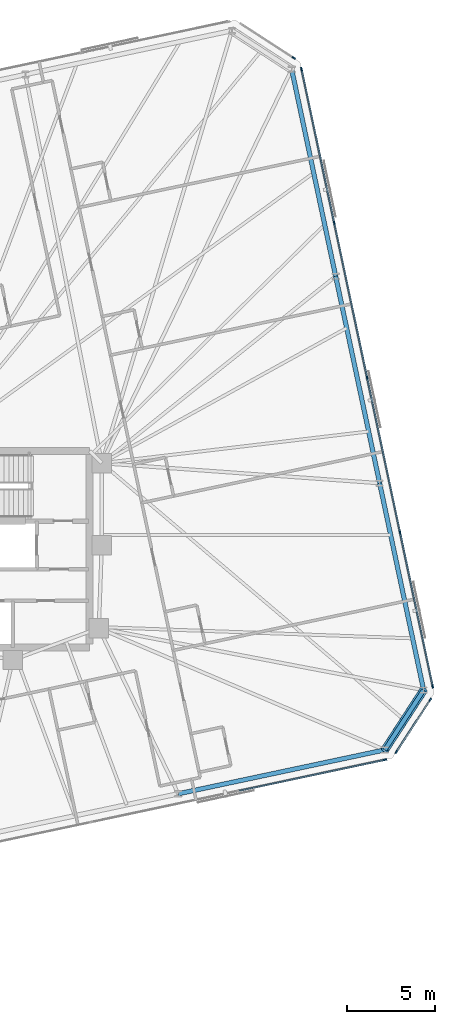
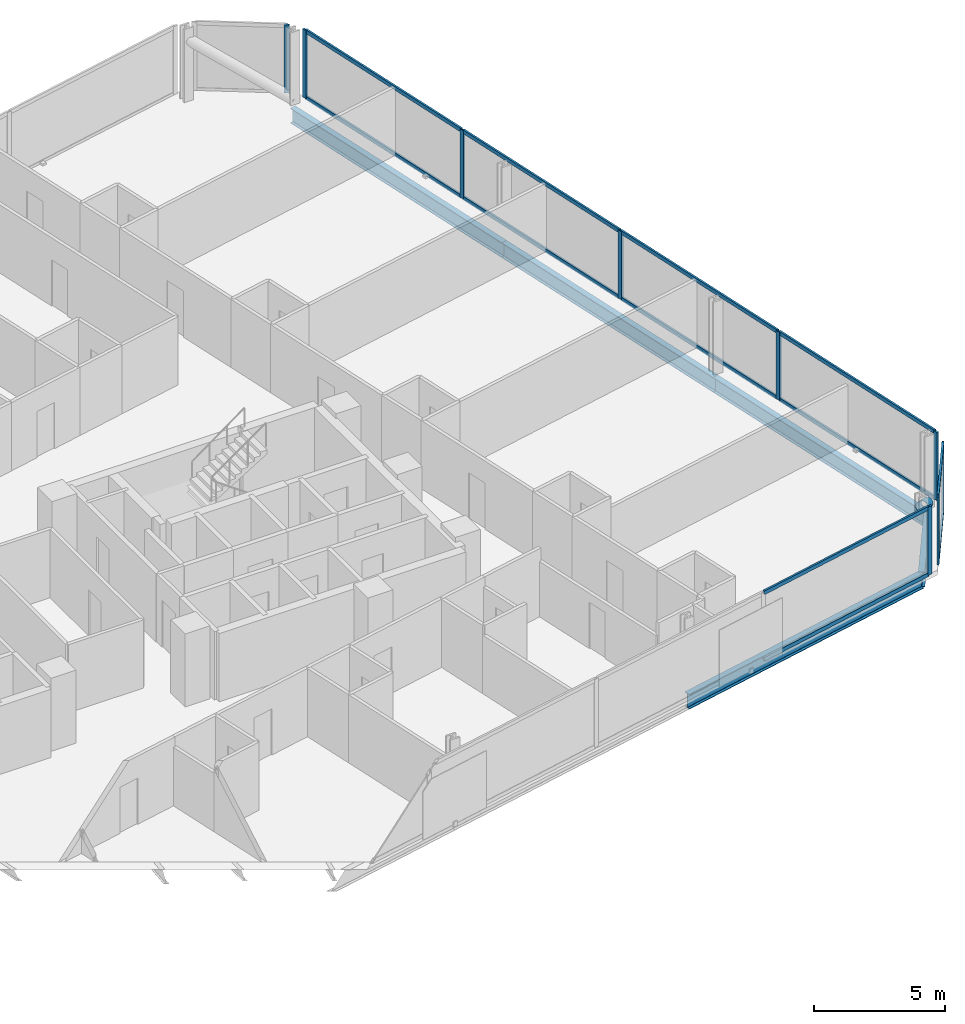
# One storey, part 12 of 20: 22 members, 5 beams, 4 elements without a shape of their own.
"""IFC4 building model written with IfcOpenShell, lengths in metres."""

from ifc_helpers import new_model, si_unit, direction, frame, origin, origin_2d, place, context, subcontext, project, spatial, rectangle, hollow_circle, i_section, extrude, material, material_profile, profile_set, type_object, element, aggregate, save


model = new_model("IFC4")

# Units and contexts
model_context = context("Model", 3, precision=1e-05, world=origin(), true_north=direction((0.0, 1.0)))
body_context = subcontext(model_context, "Body", "Model", "MODEL_VIEW")
ifc_project = project(units=[si_unit("LENGTHUNIT", "METRE"), si_unit("AREAUNIT", "SQUARE_METRE"), si_unit("VOLUMEUNIT", "CUBIC_METRE"), si_unit("PLANEANGLEUNIT", "RADIAN"), si_unit("MASSUNIT", "GRAM", prefix="KILO")], contexts=[model_context])

# Site, building, storey
site_placement = place(None, origin())
site = spatial("IfcSite", under=ifc_project, at=site_placement, CompositionType="ELEMENT")
building_placement = place(site_placement, origin())
building = spatial("IfcBuilding", under=site, at=building_placement, Name="Menara Jurai Vektor", CompositionType="ELEMENT")
storey_placement = place(building_placement, frame((0.0, 0.0, 158.199951171875)))
storey = spatial("IfcBuildingStorey", under=building, at=storey_placement, Name="L40", CompositionType="ELEMENT", Elevation=158.199951171875)

# Curtain wall, member
ifc_material_1 = material(Name="Anodised Pale Aluminium & Low-E Double Glazing", Category="aluminium")
curtain_wall_type = type_object("IfcCurtainWallType", Name="CW-BLK3", PredefinedType="NOTDEFINED", material=ifc_material_1)
curtain_wall_1_placement = place(storey_placement, origin())
curtain_wall_1 = element("IfcCurtainWall", 1, at=curtain_wall_1_placement, inside=storey, type_object=curtain_wall_type, Name="Unitised Curtain Wall L40 F01", PredefinedType="NOTDEFINED")
ifc_material_2 = material(Name="Anodised Pale Aluminium Mullion", Category="aluminium")
ifc_material_profile_1 = material_profile(ifc_material_2, rectangle(XDim=0.0849609375, YDim=0.205078125, at=origin_2d()), Name="ALU MUL 85x205")
ifc_profile_set_1 = profile_set([ifc_material_profile_1], Name="Anodised Pale Aluminium Mullion")
member_type_1 = type_object("IfcMemberType", Name="CW-BLK3-MUL", PredefinedType="MULLION", material=ifc_profile_set_1)
member_1_placement = place(storey_placement, frame((31.392578125, -11.99755859375, 0.0), z_axis=(0.0, 0.0, 1.0), x_axis=(-0.207911344156, 0.978147674419, 0.0)))
member_1 = element("IfcMember", 2, at=member_1_placement, type_object=member_type_1, Name="CW-03 mullion 8", PredefinedType="MULLION", context=body_context, shape_type="SweptSolid", body=[
    extrude(rectangle(XDim=0.0849609375, YDim=0.205078125, at=origin_2d()), origin(), (0.0, 0.0, 1.0), 3.175048828125),
])

# Curtain wall, members
curtain_wall_2_placement = place(storey_placement, origin())
curtain_wall_2 = element("IfcCurtainWall", 3, at=curtain_wall_2_placement, inside=storey, type_object=curtain_wall_type, Name="Unitised Curtain Wall L40 F02", PredefinedType="NOTDEFINED")
member_2_placement = place(storey_placement, frame((32.035888671875, -11.555419921875, 0.0), z_axis=(0.0, 0.0, 1.0), x_axis=(-0.838684361415, 0.544617794346, 0.0)))
member_2 = element("IfcMember", 4, at=member_2_placement, type_object=member_type_1, Name="CW-03 mullion 1", PredefinedType="MULLION", context=body_context, shape_type="SweptSolid", body=[
    extrude(rectangle(XDim=0.0849609375, YDim=0.205078125, at=origin_2d()), origin(), (0.0, 0.0, 1.0), 3.175048828125),
])
member_3_placement = place(storey_placement, frame((33.96337890625, -8.587158203125, 0.0), z_axis=(0.0, 0.0, 1.0), x_axis=(-0.838684361415, 0.544617794346, 0.0)))
member_3 = element("IfcMember", 5, at=member_3_placement, type_object=member_type_1, Name="CW-03 mullion 2", PredefinedType="MULLION", context=body_context, shape_type="SweptSolid", body=[
    extrude(rectangle(XDim=0.0849609375, YDim=0.205078125, at=origin_2d()), origin(), (0.0, 0.0, 1.0), 3.175048828125),
])

curtain_wall_3_placement = place(storey_placement, origin())
curtain_wall_3 = element("IfcCurtainWall", 6, at=curtain_wall_3_placement, inside=storey, type_object=curtain_wall_type, Name="Unitised Curtain Wall L40 F03", PredefinedType="NOTDEFINED")
member_4_placement = place(storey_placement, frame((34.105712890625, -7.819580078125, 0.0), z_axis=(0.0, 0.0, 1.0), x_axis=(-0.978147883949, -0.20791035839, 0.0)))
member_4 = element("IfcMember", 7, at=member_4_placement, type_object=member_type_1, Name="CW-03 mullion 1", PredefinedType="MULLION", context=body_context, shape_type="SweptSolid", body=[
    extrude(rectangle(XDim=0.0849609375, YDim=0.205078125, at=origin_2d()), origin(), (0.0, 0.0, 1.0), 3.175048828125),
])
member_5_placement = place(storey_placement, frame((32.2412109375, 0.951904296875, 0.0), z_axis=(0.0, 0.0, 1.0), x_axis=(-0.978147883949, -0.20791035839, 0.0)))
member_5 = element("IfcMember", 8, at=member_5_placement, type_object=member_type_1, Name="CW-03 mullion 2", PredefinedType="MULLION", context=body_context, shape_type="SweptSolid", body=[
    extrude(rectangle(XDim=0.0849609375, YDim=0.205078125, at=origin_2d()), origin(), (0.0, 0.0, 1.0), 3.175048828125),
])
member_6_placement = place(storey_placement, frame((30.367919921875, 9.76513671875, 0.0), z_axis=(0.0, 0.0, 1.0), x_axis=(-0.978147883949, -0.20791035839, 0.0)))
member_6 = element("IfcMember", 9, at=member_6_placement, type_object=member_type_1, Name="CW-03 mullion 3", PredefinedType="MULLION", context=body_context, shape_type="SweptSolid", body=[
    extrude(rectangle(XDim=0.0849609375, YDim=0.205078125, at=origin_2d()), origin(), (0.0, 0.0, 1.0), 3.175048828125),
])
member_7_placement = place(storey_placement, frame((28.49462890625, 18.578125, 0.0), z_axis=(0.0, 0.0, 1.0), x_axis=(-0.978147883949, -0.20791035839, 0.0)))
member_7 = element("IfcMember", 10, at=member_7_placement, type_object=member_type_1, Name="CW-03 mullion 4", PredefinedType="MULLION", context=body_context, shape_type="SweptSolid", body=[
    extrude(rectangle(XDim=0.0849609375, YDim=0.205078125, at=origin_2d()), origin(), (0.0, 0.0, 1.0), 3.175048828125),
])
member_8_placement = place(storey_placement, frame((26.630126953125, 27.349609375, 0.0), z_axis=(0.0, 0.0, 1.0), x_axis=(-0.978147883949, -0.20791035839, 0.0)))
member_8 = element("IfcMember", 11, at=member_8_placement, type_object=member_type_1, Name="CW-03 mullion 5", PredefinedType="MULLION", context=body_context, shape_type="SweptSolid", body=[
    extrude(rectangle(XDim=0.0849609375, YDim=0.205078125, at=origin_2d()), origin(), (0.0, 0.0, 1.0), 3.175048828125),
])

# Curtain wall, member
curtain_wall_4_placement = place(storey_placement, origin())
curtain_wall_4 = element("IfcCurtainWall", 12, at=curtain_wall_4_placement, inside=storey, type_object=curtain_wall_type, Name="Unitised Curtain Wall L40 F04", PredefinedType="NOTDEFINED")
member_9_placement = place(storey_placement, frame((26.18798828125, 27.9931640625, 0.0), z_axis=(0.0, 0.0, 1.0), x_axis=(-0.544617794346, -0.838684361415, 0.0)))
member_9 = element("IfcMember", 13, at=member_9_placement, type_object=member_type_1, Name="CW-03 mullion 1", PredefinedType="MULLION", context=body_context, shape_type="SweptSolid", body=[
    extrude(rectangle(XDim=0.0849609375, YDim=0.205078125, at=origin_2d()), origin(), (0.0, 0.0, 1.0), 3.175048828125),
])
aggregate(curtain_wall_4, [member_9])

# Member
ifc_material_3 = material(Name="Anodised Pale Aluminium Transom", Category="aluminium")
ifc_material_profile_2 = material_profile(ifc_material_3, rectangle(XDim=0.0849609375, YDim=0.175048828125, at=origin_2d()), Name="ALU TRN 85x175")
ifc_profile_set_2 = profile_set([ifc_material_profile_2], Name="Anodised Pale Aluminium Transom")
member_type_2 = type_object("IfcMemberType", Name="CW-BLK3-TRN", PredefinedType="USERDEFINED", material=ifc_profile_set_2)
member_10_placement = place(storey_placement, frame((23.0859375, -13.76318359375, 0.04248046875), z_axis=(0.978146953428, 0.207914736128, 0.0), x_axis=(-0.207914736128, 0.978146953428, 0.0)))
member_10 = element("IfcMember", 14, at=member_10_placement, type_object=member_type_2, Name="CW-03 transom 7.1", ObjectType="TRANSOM", PredefinedType="USERDEFINED", context=body_context, shape_type="SweptSolid", body=[
    extrude(rectangle(XDim=0.0849609375, YDim=0.175048828125, at=origin_2d()), origin(), (0.0, 0.0, 1.0), 8.44970703125),
])

member_11_placement = place(storey_placement, frame((23.0859375, -13.76318359375, 3.132568359375), z_axis=(0.978146953428, 0.207914736128, 0.0), x_axis=(-0.207914736128, 0.978146953428, 0.0)))
member_11 = element("IfcMember", 15, at=member_11_placement, type_object=member_type_2, Name="CW-03 transom 7.2", ObjectType="TRANSOM", PredefinedType="USERDEFINED", context=body_context, shape_type="SweptSolid", body=[
    extrude(rectangle(XDim=0.0849609375, YDim=0.175048828125, at=origin_2d()), origin(), (0.0, 0.0, 1.0), 8.44970703125),
])

aggregate(curtain_wall_1, [member_1, member_10, member_11])

member_12_placement = place(storey_placement, frame((32.05908203125, -11.519775390625, 0.04248046875), z_axis=(0.54459575764, 0.838698671014, 0.0), x_axis=(-0.838698671014, 0.54459575764, 0.0)))
member_12 = element("IfcMember", 16, at=member_12_placement, type_object=member_type_2, Name="CW-03 transom 1.1", ObjectType="TRANSOM", PredefinedType="USERDEFINED", context=body_context, shape_type="SweptSolid", body=[
    extrude(rectangle(XDim=0.0849609375, YDim=0.175048828125, at=origin_2d()), origin(), (0.0, 0.0, 1.0), 3.4541015625),
])

member_13_placement = place(storey_placement, frame((32.05908203125, -11.519775390625, 3.132568359375), z_axis=(0.54459575764, 0.838698671014, 0.0), x_axis=(-0.838698671014, 0.54459575764, 0.0)))
member_13 = element("IfcMember", 17, at=member_13_placement, type_object=member_type_2, Name="CW-03 transom 1.2", ObjectType="TRANSOM", PredefinedType="USERDEFINED", context=body_context, shape_type="SweptSolid", body=[
    extrude(rectangle(XDim=0.0849609375, YDim=0.175048828125, at=origin_2d()), origin(), (0.0, 0.0, 1.0), 3.4541015625),
])

aggregate(curtain_wall_2, [member_2, member_3, member_12, member_13])

member_14_placement = place(storey_placement, frame((34.096923828125, -7.778076171875, 0.04248046875), z_axis=(-0.207925814542, 0.978144598537, 0.0), x_axis=(-0.978144598537, -0.207925814542, 0.0)))
member_14 = element("IfcMember", 18, at=member_14_placement, type_object=member_type_2, Name="CW-03 transom 1.1", ObjectType="TRANSOM", PredefinedType="USERDEFINED", context=body_context, shape_type="SweptSolid", body=[
    extrude(rectangle(XDim=0.0849609375, YDim=0.175048828125, at=origin_2d()), origin(), (0.0, 0.0, 1.0), 8.882568359375),
])

member_15_placement = place(storey_placement, frame((34.096923828125, -7.778076171875, 3.132568359375), z_axis=(-0.207925814542, 0.978144598537, 0.0), x_axis=(-0.978144598537, -0.207925814542, 0.0)))
member_15 = element("IfcMember", 19, at=member_15_placement, type_object=member_type_2, Name="CW-03 transom 1.2", ObjectType="TRANSOM", PredefinedType="USERDEFINED", context=body_context, shape_type="SweptSolid", body=[
    extrude(rectangle(XDim=0.0849609375, YDim=0.175048828125, at=origin_2d()), origin(), (0.0, 0.0, 1.0), 8.882568359375),
])

member_16_placement = place(storey_placement, frame((32.232421875, 0.993408203125, 0.04248046875), z_axis=(-0.207922224243, 0.978145361726, 0.0), x_axis=(-0.978145361726, -0.207922224243, 0.0)))
member_16 = element("IfcMember", 20, at=member_16_placement, type_object=member_type_2, Name="CW-03 transom 2.1", ObjectType="TRANSOM", PredefinedType="USERDEFINED", context=body_context, shape_type="SweptSolid", body=[
    extrude(rectangle(XDim=0.0849609375, YDim=0.175048828125, at=origin_2d()), origin(), (0.0, 0.0, 1.0), 8.925048828125),
])

member_17_placement = place(storey_placement, frame((32.232421875, 0.993408203125, 3.132568359375), z_axis=(-0.207922224243, 0.978145361726, 0.0), x_axis=(-0.978145361726, -0.207922224243, 0.0)))
member_17 = element("IfcMember", 21, at=member_17_placement, type_object=member_type_2, Name="CW-03 transom 2.2", ObjectType="TRANSOM", PredefinedType="USERDEFINED", context=body_context, shape_type="SweptSolid", body=[
    extrude(rectangle(XDim=0.0849609375, YDim=0.175048828125, at=origin_2d()), origin(), (0.0, 0.0, 1.0), 8.925048828125),
])

member_18_placement = place(storey_placement, frame((30.359130859375, 9.806640625, 0.04248046875), z_axis=(-0.207922224243, 0.978145361726, 0.0), x_axis=(-0.978145361726, -0.207922224243, 0.0)))
member_18 = element("IfcMember", 22, at=member_18_placement, type_object=member_type_2, Name="CW-03 transom 3.1", ObjectType="TRANSOM", PredefinedType="USERDEFINED", context=body_context, shape_type="SweptSolid", body=[
    extrude(rectangle(XDim=0.0849609375, YDim=0.175048828125, at=origin_2d()), origin(), (0.0, 0.0, 1.0), 8.925048828125),
])

member_19_placement = place(storey_placement, frame((30.359130859375, 9.806640625, 3.132568359375), z_axis=(-0.207922224243, 0.978145361726, 0.0), x_axis=(-0.978145361726, -0.207922224243, 0.0)))
member_19 = element("IfcMember", 23, at=member_19_placement, type_object=member_type_2, Name="CW-03 transom 3.2", ObjectType="TRANSOM", PredefinedType="USERDEFINED", context=body_context, shape_type="SweptSolid", body=[
    extrude(rectangle(XDim=0.0849609375, YDim=0.175048828125, at=origin_2d()), origin(), (0.0, 0.0, 1.0), 8.925048828125),
])

member_20_placement = place(storey_placement, frame((28.48583984375, 18.61962890625, 0.04248046875), z_axis=(-0.207899517354, 0.978150188204, 0.0), x_axis=(-0.978150188204, -0.207899517354, 0.0)))
member_20 = element("IfcMember", 24, at=member_20_placement, type_object=member_type_2, Name="CW-03 transom 4.1", ObjectType="TRANSOM", PredefinedType="USERDEFINED", context=body_context, shape_type="SweptSolid", body=[
    extrude(rectangle(XDim=0.0849609375, YDim=0.175048828125, at=origin_2d()), origin(), (0.0, 0.0, 1.0), 8.882568359375),
])

member_21_placement = place(storey_placement, frame((28.48583984375, 18.61962890625, 3.132568359375), z_axis=(-0.207899517354, 0.978150188204, 0.0), x_axis=(-0.978150188204, -0.207899517354, 0.0)))
member_21 = element("IfcMember", 25, at=member_21_placement, type_object=member_type_2, Name="CW-03 transom 4.2", ObjectType="TRANSOM", PredefinedType="USERDEFINED", context=body_context, shape_type="SweptSolid", body=[
    extrude(rectangle(XDim=0.0849609375, YDim=0.175048828125, at=origin_2d()), origin(), (0.0, 0.0, 1.0), 8.882568359375),
])

aggregate(curtain_wall_3, [member_4, member_5, member_6, member_7, member_8, member_14, member_15, member_16, member_17, member_18, member_19, member_20, member_21])

ifc_material_4 = material(Name="Steel S460", Category="steel")
ifc_material_profile_3 = material_profile(ifc_material_4, hollow_circle(Radius=0.228515625, WallThickness=0.01611328125, at=origin_2d()), Name="CHS 457x16")
ifc_profile_set_3 = profile_set([ifc_material_profile_3], Name="Steel S460")
member_type_3 = type_object("IfcMemberType", Name="STR-BR-457", PredefinedType="BRACE", material=ifc_profile_set_3)
member_22_placement = place(storey_placement, frame((33.588623046875, -8.031982421875, 0.150146484375), z_axis=(-0.454884431691, -0.700447733372, 0.549957386185), x_axis=(0.838665998507, -0.544646071268, 0.0)))
element("IfcMember", 26, at=member_22_placement, inside=storey, type_object=member_type_3, Name="Exoskeleton Corner Brace L40-1", PredefinedType="BRACE", context=body_context, shape_type="SweptSolid", body=[
    extrude(hollow_circle(Radius=0.228515625, WallThickness=0.01611328125, at=origin_2d()), origin(), (0.0, 0.0, 1.0), 4.86376953125),
])

# Beams
ifc_material_profile_4 = material_profile(ifc_material_4, i_section(OverallWidth=0.256103515625, OverallDepth=0.693115234375, WebThickness=0.013916015625, FlangeThickness=0.02392578125, FilletRadius=0.014892578125, at=origin_2d()), Name="UKB 686x254x170")
ifc_profile_set_4 = profile_set([ifc_material_profile_4], Name="Steel S460")
beam_type = type_object("IfcBeamType", Name="STR-SP-686", PredefinedType="SPANDREL", material=ifc_profile_set_4)
beam_1_placement = place(storey_placement, frame((19.608154296875, -13.940185546875, -0.571533203125), z_axis=(0.97814616202, 0.207918459318, 0.0), x_axis=(-0.207918459318, 0.97814616202, 0.0)))
element("IfcBeam", 27, at=beam_1_placement, inside=storey, type_object=beam_type, Name="Exoskeleton Spandrel Beam L40-05", PredefinedType="SPANDREL", context=body_context, shape_type="SweptSolid", body=[
    extrude(i_section(OverallWidth=0.256103515625, OverallDepth=0.693115234375, WebThickness=0.013916015625, FlangeThickness=0.02392578125, FilletRadius=0.014892578125, at=origin_2d()), origin(), (0.0, 0.0, 1.0), 12.031005859375),
])
beam_2_placement = place(storey_placement, frame((31.376220703125, -11.438720703125, -0.571533203125), z_axis=(0.544646071268, 0.838665998507, 0.0), x_axis=(-0.838665998507, 0.544646071268, 0.0)))
element("IfcBeam", 28, at=beam_2_placement, inside=storey, type_object=beam_type, Name="Exoskeleton Spandrel Beam L40-06", PredefinedType="SPANDREL", context=body_context, shape_type="SweptSolid", body=[
    extrude(i_section(OverallWidth=0.256103515625, OverallDepth=0.693115234375, WebThickness=0.013916015625, FlangeThickness=0.02392578125, FilletRadius=0.014892578125, at=origin_2d()), origin(), (0.0, 0.0, 1.0), 4.06201171875),
])
beam_3_placement = place(storey_placement, frame((33.588623046875, -8.031982421875, -0.571533203125), z_axis=(-0.207925382659, 0.978144690343, 0.0), x_axis=(-0.978144690343, -0.207925382659, 0.0)))
element("IfcBeam", 29, at=beam_3_placement, inside=storey, type_object=beam_type, Name="Exoskeleton Spandrel Beam L40-07", PredefinedType="SPANDREL", context=body_context, shape_type="SweptSolid", body=[
    extrude(i_section(OverallWidth=0.256103515625, OverallDepth=0.693115234375, WebThickness=0.013916015625, FlangeThickness=0.02392578125, FilletRadius=0.014892578125, at=origin_2d()), origin(), (0.0, 0.0, 1.0), 12.0517578125),
])
for number, where, z_axis, x_axis, name in (
    (30, (31.082763671875, 3.75634765625, -0.571533203125), (-0.207901880993, 0.978149685825, 0.0), (-0.978149685825, -0.207901880993, 0.0), "Exoskeleton Spandrel Beam L40-08"),
    (31, (28.5771484375, 15.544921875, -0.571533203125), (-0.207921262698, 0.978145566119, 0.0), (-0.978145566119, -0.207921262698, 0.0), "Exoskeleton Spandrel Beam L40-09"),
):
    element("IfcBeam", number, at=place(storey_placement, frame(where, z_axis=z_axis, x_axis=x_axis)), inside=storey, type_object=beam_type, Name=name, PredefinedType="SPANDREL", context=body_context, shape_type="SweptSolid", body=[
        extrude(i_section(OverallWidth=0.256103515625, OverallDepth=0.693115234375, WebThickness=0.013916015625, FlangeThickness=0.02392578125, FilletRadius=0.014892578125, at=origin_2d()), origin(), (0.0, 0.0, 1.0), 12.052001953125),
    ])

save(model, "model.ifc")
